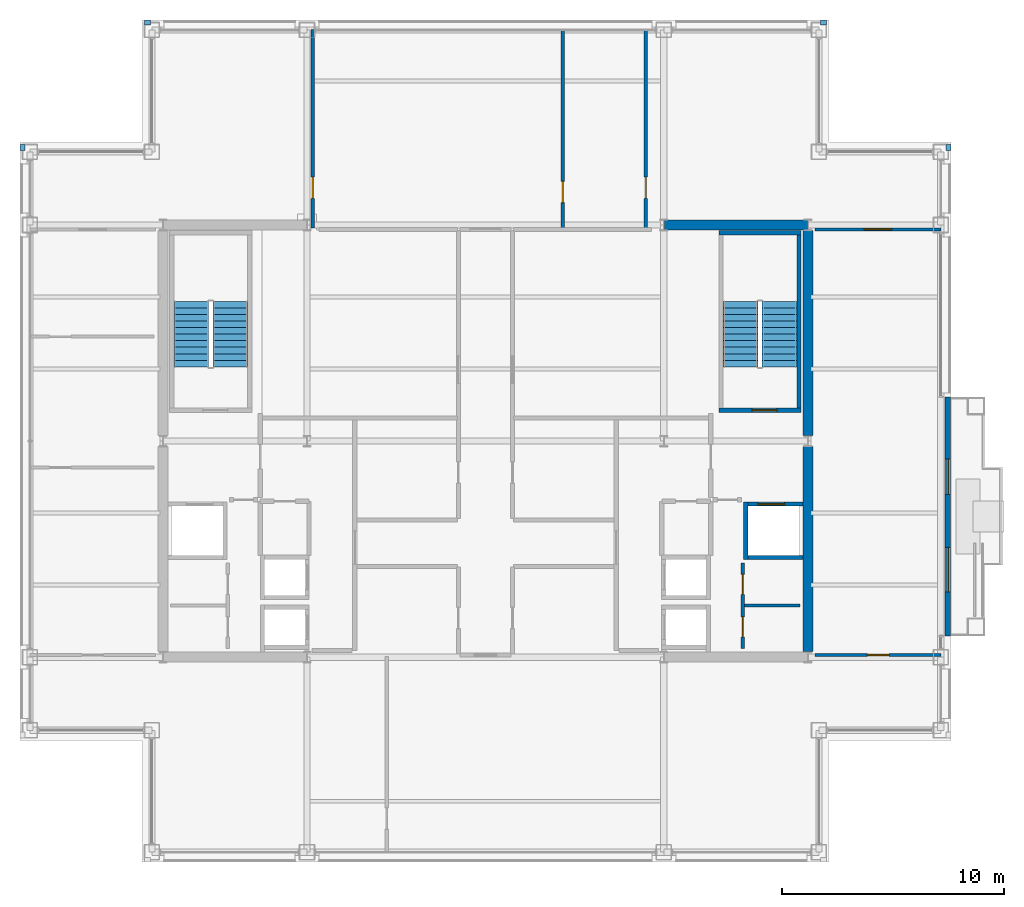
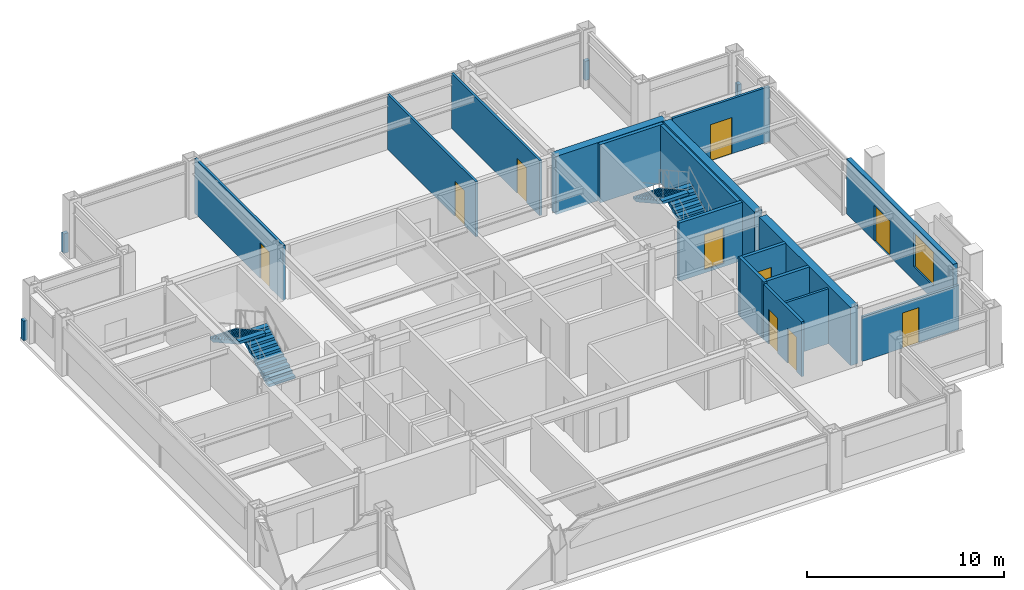
# One storey, part 26 of 28: 21 walls, 10 doors, 4 stair flights, 1 window, 11 openings, 2 elements without a shape of their own.
"""IFC4 building model written with IfcOpenShell, lengths in metres."""

from ifc_helpers import new_model, si_unit, direction, frame, frame_2d, origin, place, context, subcontext, project, spatial, polyline, rectangle, outline, extrude, material, layer, layer_set, type_object, element, fill, aggregate, save


model = new_model("IFC4")

# Units and contexts
model_context = context("Model", 3, precision=1e-05, world=origin(), true_north=direction((0.0, 1.0)))
body_context = subcontext(model_context, "Body", "Model", "MODEL_VIEW")
ifc_project = project(units=[si_unit("LENGTHUNIT", "METRE"), si_unit("AREAUNIT", "SQUARE_METRE"), si_unit("VOLUMEUNIT", "CUBIC_METRE"), si_unit("PLANEANGLEUNIT", "RADIAN"), si_unit("MASSUNIT", "GRAM", prefix="KILO")], contexts=[model_context])

# Site, building, storey
site_placement = place(None, origin())
site = spatial("IfcSite", under=ifc_project, at=site_placement, CompositionType="ELEMENT")
building_placement = place(site_placement, origin())
building = spatial("IfcBuilding", under=site, at=building_placement, Name="Brelmoor Portico Tower", CompositionType="ELEMENT")
storey_placement = place(building_placement, frame((0.0, 0.0, 191.10009765625)))
storey = spatial("IfcBuildingStorey", under=building, at=storey_placement, Name="L50", CompositionType="ELEMENT", Elevation=191.10009765625)

# Walls
ifc_material_1 = material(Name="Concrete C50", Category="concrete")
ifc_layer_1 = layer(ifc_material_1, 0.449951171875)
ifc_layer_set_1 = layer_set([ifc_layer_1], Name="Concrete C50")
wall_type_1 = type_object("IfcWallType", Name="WL-CORE-450", PredefinedType="SHEAR", material=ifc_layer_set_1)
wall_1_placement = place(storey_placement, frame((8.070068359375, 9.75, -0.2001953125), z_axis=(0.0, 0.0, 1.0), x_axis=(1.0, 0.0, 0.0)))
element("IfcWall", 1, at=wall_1_placement, inside=storey, type_object=wall_type_1, Name="L50 EC North Shear Wall", PredefinedType="SHEAR", context=body_context, shape_type="SweptSolid", body=[
    extrude(rectangle(XDim=6.4599609375, YDim=0.449951171875, at=frame_2d((3.22998046875, 0.0))), origin(), (0.0, 0.0, 1.0), 3.60009765625),
])
for number, where, z_axis, x_axis, name in (
    (2, (14.550048828125, -9.5, -0.2001953125), (0.0, 0.0, 1.0), (0.0, 1.0, 0.0), "L50 EC Outer South Shear Wall"),
    (3, (14.550048828125, 0.25, -0.2001953125), (0.0, 0.0, 1.0), (0.0, 1.0, 0.0), "L50 EC Outer North Shear Wall"),
):
    element("IfcWall", number, at=place(storey_placement, frame(where, z_axis=z_axis, x_axis=x_axis)), inside=storey, type_object=wall_type_1, Name=name, PredefinedType="SHEAR", context=body_context, shape_type="SweptSolid", body=[
        extrude(rectangle(XDim=9.25, YDim=0.449951171875, at=frame_2d((4.625, 0.0))), origin(), (0.0, 0.0, 1.0), 3.60009765625),
    ])

# Wall, openings, door, window
ifc_material_2 = material(Name="Precast Concrete C40 Insulated Facade Wall", Category="concrete")
ifc_layer_2 = layer(ifc_material_2, 0.25)
ifc_layer_set_2 = layer_set([ifc_layer_2], Name="Precast Concrete C40 Insulated Facade Wall")
wall_type_2 = type_object("IfcWallType", Name="WL-EXT-250", PredefinedType="STANDARD", material=ifc_layer_set_2)
wall_2_placement = place(storey_placement, frame((20.860107421875, -8.800048828125, 0.0), z_axis=(0.0, 0.0, 1.0), x_axis=(0.0, 1.0, 0.0)))
wall_2 = element("IfcWall", 4, at=wall_2_placement, inside=storey, type_object=wall_type_2, Name="L50 Loggia Threshold Wall E-1", PredefinedType="STANDARD", context=body_context, shape_type="SweptSolid", body=[
    extrude(rectangle(XDim=10.800048828125, YDim=0.25, at=frame_2d((5.39990234375, 0.0))), origin(), (0.0, 0.0, 1.0), 3.39990234375),
])
opening_1_placement = place(wall_2_placement, frame((6.39990234375, 0.0, 0.0)))
opening_1 = element("IfcOpeningElement", 5, at=opening_1_placement, cuts=wall_2, Name="Opening D-TB1", PredefinedType="OPENING", context=body_context, shape_type="SweptSolid", body=[
    extrude(rectangle(XDim=1.60009765625, YDim=2.199951171875, at=frame_2d((0.800048828125, 1.10009765625))), frame((0.0, 0.135009765625, 0.0), z_axis=(0.0, -1.0, 0.0), x_axis=(1.0, 0.0, 0.0)), (0.0, 0.0, 1.0), 0.27001953125),
])
opening_2_placement = place(wall_2_placement, frame((2.0, 0.0, 0.85009765625)))
opening_2 = element("IfcOpeningElement", 6, at=opening_2_placement, cuts=wall_2, Name="Opening W-03", PredefinedType="OPENING", context=body_context, shape_type="SweptSolid", body=[
    extrude(rectangle(XDim=2.0, YDim=2.10009765625, at=frame_2d((1.0, 1.050048828125))), frame((0.0, 0.135009765625, 0.0), z_axis=(0.0, -1.0, 0.0), x_axis=(1.0, 0.0, 0.0)), (0.0, 0.0, 1.0), 0.27001953125),
])
ifc_material_3 = material(Name="Double-Leaf Thermally Broken Terrace Door", Category="aluminium")
door_type_1 = type_object("IfcDoorType", Name="DR-BALCONY-1600", OperationType="NOTDEFINED", PredefinedType="DOOR", material=ifc_material_3)
door_1_placement = place(opening_1_placement, origin())
door_1 = element("IfcDoor", 7, at=door_1_placement, inside=storey, type_object=door_type_1, Name="D-2132 L50 Tree Balcony Double Door E", OperationType="DOUBLE_DOOR_SINGLE_SWING", OverallHeight=2.199951171875, OverallWidth=1.60009765625, PredefinedType="DOOR", context=body_context, shape_type="SweptSolid", body=[
    extrude(rectangle(XDim=1.60009765625, YDim=2.199951171875, at=frame_2d((0.800048828125, 1.10009765625))), frame((0.0, 0.02490234375, 0.0), z_axis=(0.0, -1.0, 0.0), x_axis=(1.0, 0.0, 0.0)), (0.0, 0.0, 1.0), 0.050048828125),
])
fill(opening_1, door_1)
ifc_material_4 = material(Name="Thermally Broken Aluminium Low-E Window", Category="aluminium")
window_type = type_object("IfcWindowType", Name="WN-LOGGIA-2000x2100", PartitioningType="SINGLE_PANEL", PredefinedType="WINDOW", material=ifc_material_4)
window_placement = place(opening_2_placement, origin())
window = element("IfcWindow", 8, at=window_placement, inside=storey, type_object=window_type, Name="L50 Loggia Window E", OverallHeight=2.10009765625, OverallWidth=2.0, PartitioningType="SINGLE_PANEL", PredefinedType="WINDOW", context=body_context, shape_type="SweptSolid", body=[
    extrude(rectangle(XDim=2.0, YDim=2.10009765625, at=frame_2d((1.0, 1.050048828125))), frame((0.0, 0.030029296875, 0.0), z_axis=(0.0, -1.0, 0.0), x_axis=(1.0, 0.0, 0.0)), (0.0, 0.0, 1.0), 0.06005859375),
])
fill(opening_2, window)

# Walls
ifc_material_5 = material(Name="Concrete C40 Parapet Upstand", Category="concrete")
ifc_layer_3 = layer(ifc_material_5, 0.219970703125)
ifc_layer_set_3 = layer_set([ifc_layer_3], Name="Concrete C40 Parapet Upstand")
wall_type_3 = type_object("IfcWallType", Name="WL-PARAPET-220", PredefinedType="PARAPET", material=ifc_layer_set_3)
for number, where, z_axis, x_axis, name in (
    (9, (-15.389892578125, 18.889892578125, 0.0), (0.0, 0.0, 1.0), (1.0, 0.0, 0.0), "L50 Chamfer Vertex Parapet Pier NW1"),
    (10, (-20.889892578125, 13.1201171875, 0.0), (0.0, 0.0, 1.0), (0.0, 1.0, 0.0), "L50 Chamfer Vertex Parapet Pier NW2"),
    (11, (15.1201171875, 18.889892578125, 0.0), (0.0, 0.0, 1.0), (1.0, 0.0, 0.0), "L50 Chamfer Vertex Parapet Pier NE1"),
    (12, (20.889892578125, 13.1201171875, 0.0), (0.0, 0.0, 1.0), (0.0, 1.0, 0.0), "L50 Chamfer Vertex Parapet Pier NE2"),
):
    element("IfcWall", number, at=place(storey_placement, frame(where, z_axis=z_axis, x_axis=x_axis)), inside=storey, type_object=wall_type_3, Name=name, PredefinedType="PARAPET", context=body_context, shape_type="SweptSolid", body=[
        extrude(rectangle(XDim=0.269775390625, YDim=0.219970703125, at=frame_2d((0.134765625, 0.0))), origin(), (0.0, 0.0, 1.0), 1.199951171875),
    ])
ifc_material_6 = material(Name="Insulated Stud Suite Partition", Category="gypsum")
ifc_layer_4 = layer(ifc_material_6, 0.139892578125)
ifc_layer_set_4 = layer_set([ifc_layer_4], Name="Insulated Stud Suite Partition")
wall_type_4 = type_object("IfcWallType", Name="WL-PART-140", PredefinedType="PARTITIONING", material=ifc_layer_set_4)
wall_3_placement = place(storey_placement, frame((11.699951171875, -7.425048828125, 0.0), z_axis=(0.0, 0.0, 1.0), x_axis=(1.0, 0.0, 0.0)))
element("IfcWall", 13, at=wall_3_placement, inside=storey, type_object=wall_type_4, Name="L50 E Core WC Divider 1", PredefinedType="PARTITIONING", context=body_context, shape_type="SweptSolid", body=[
    extrude(rectangle(XDim=2.5, YDim=0.139892578125, at=frame_2d((1.25, 0.0))), origin(), (0.0, 0.0, 1.0), 3.39990234375),
])

# Wall, opening, door
wall_4_placement = place(storey_placement, frame((-7.78955078125, 9.610107421875, 0.0), z_axis=(0.0, 0.0, 1.0), x_axis=(0.0, 1.0, 0.0)))
wall_4 = element("IfcWall", 14, at=wall_4_placement, inside=storey, type_object=wall_type_4, Name="L50 North Suite Partition 1", PredefinedType="PARTITIONING", context=body_context, shape_type="SweptSolid", body=[
    extrude(rectangle(XDim=8.949951171875, YDim=0.139892578125, at=frame_2d((4.47509765625, 0.0))), origin(), (0.0, 0.0, 1.0), 3.39990234375),
])
opening_3_placement = place(wall_4_placement, frame((1.340087890625, 0.0, 0.0)))
opening_3 = element("IfcOpeningElement", 15, at=opening_3_placement, cuts=wall_4, Name="Opening D-IN2", PredefinedType="OPENING", context=body_context, shape_type="SweptSolid", body=[
    extrude(rectangle(XDim=0.9599609375, YDim=2.179931640625, at=frame_2d((0.47998046875, 1.08984375))), frame((0.0, 0.079833984375, 0.0), z_axis=(0.0, -1.0, 0.0), x_axis=(1.0, 0.0, 0.0)), (0.0, 0.0, 1.0), 0.159912109375),
])
ifc_material_7 = material(Name="Lacquered Timber Suite Door", Category="wood")
door_type_2 = type_object("IfcDoorType", Name="DR-INT-950", OperationType="NOTDEFINED", PredefinedType="DOOR", material=ifc_material_7)
door_2_placement = place(opening_3_placement, origin())
door_2 = element("IfcDoor", 16, at=door_2_placement, inside=storey, type_object=door_type_2, Name="D-2121 L50 North Suite Connecting Door 1", OperationType="SINGLE_SWING_RIGHT", OverallHeight=2.179931640625, OverallWidth=0.9599609375, PredefinedType="DOOR", context=body_context, shape_type="SweptSolid", body=[
    extrude(rectangle(XDim=0.9599609375, YDim=2.179931640625, at=frame_2d((0.47998046875, 1.08984375))), frame((0.0, 0.02490234375, 0.0), z_axis=(0.0, -1.0, 0.0), x_axis=(1.0, 0.0, 0.0)), (0.0, 0.0, 1.0), 0.050048828125),
])
fill(opening_3, door_2)

wall_5_placement = place(storey_placement, frame((3.490966796875, 9.610107421875, 0.0), z_axis=(0.0, 0.0, 1.0), x_axis=(0.0, 1.0, 0.0)))
wall_5 = element("IfcWall", 17, at=wall_5_placement, inside=storey, type_object=wall_type_4, Name="L50 North Suite Partition 2", PredefinedType="PARTITIONING", context=body_context, shape_type="SweptSolid", body=[
    extrude(rectangle(XDim=8.949951171875, YDim=0.139892578125, at=frame_2d((4.47509765625, 0.0))), origin(), (0.0, 0.0, 1.0), 3.39990234375),
])
opening_4_placement = place(wall_5_placement, frame((1.14990234375, 0.0, 0.0)))
opening_4 = element("IfcOpeningElement", 18, at=opening_4_placement, cuts=wall_5, Name="Opening D-IN2", PredefinedType="OPENING", context=body_context, shape_type="SweptSolid", body=[
    extrude(rectangle(XDim=0.9599609375, YDim=2.179931640625, at=frame_2d((0.47998046875, 1.08984375))), frame((0.0, 0.079833984375, 0.0), z_axis=(0.0, -1.0, 0.0), x_axis=(1.0, 0.0, 0.0)), (0.0, 0.0, 1.0), 0.159912109375),
])
door_3_placement = place(opening_4_placement, origin())
door_3 = element("IfcDoor", 19, at=door_3_placement, inside=storey, type_object=door_type_2, Name="D-2122 L50 North Suite Connecting Door 2", OperationType="SINGLE_SWING_LEFT", OverallHeight=2.179931640625, OverallWidth=0.9599609375, PredefinedType="DOOR", context=body_context, shape_type="SweptSolid", body=[
    extrude(rectangle(XDim=0.9599609375, YDim=2.179931640625, at=frame_2d((0.47998046875, 1.08984375))), frame((0.0, 0.02490234375, 0.0), z_axis=(0.0, -1.0, 0.0), x_axis=(1.0, 0.0, 0.0)), (0.0, 0.0, 1.0), 0.050048828125),
])
fill(opening_4, door_3)

wall_6_placement = place(storey_placement, frame((7.233154296875, 9.610107421875, 0.0), z_axis=(0.0, 0.0, 1.0), x_axis=(0.0, 1.0, 0.0)))
wall_6 = element("IfcWall", 20, at=wall_6_placement, inside=storey, type_object=wall_type_4, Name="L50 North Suite Partition 3", PredefinedType="PARTITIONING", context=body_context, shape_type="SweptSolid", body=[
    extrude(rectangle(XDim=8.949951171875, YDim=0.139892578125, at=frame_2d((4.47509765625, 0.0))), origin(), (0.0, 0.0, 1.0), 3.39990234375),
])
opening_5_placement = place(wall_6_placement, frame((1.340087890625, 0.0, 0.0)))
opening_5 = element("IfcOpeningElement", 21, at=opening_5_placement, cuts=wall_6, Name="Opening D-IN2", PredefinedType="OPENING", context=body_context, shape_type="SweptSolid", body=[
    extrude(rectangle(XDim=0.9599609375, YDim=2.179931640625, at=frame_2d((0.47998046875, 1.08984375))), frame((0.0, 0.079833984375, 0.0), z_axis=(0.0, -1.0, 0.0), x_axis=(1.0, 0.0, 0.0)), (0.0, 0.0, 1.0), 0.159912109375),
])
door_4_placement = place(opening_5_placement, origin())
door_4 = element("IfcDoor", 22, at=door_4_placement, inside=storey, type_object=door_type_2, Name="D-2123 L50 North Suite Connecting Door 3", OperationType="SINGLE_SWING_RIGHT", OverallHeight=2.179931640625, OverallWidth=0.9599609375, PredefinedType="DOOR", context=body_context, shape_type="SweptSolid", body=[
    extrude(rectangle(XDim=0.9599609375, YDim=2.179931640625, at=frame_2d((0.47998046875, 1.08984375))), frame((0.0, 0.02490234375, 0.0), z_axis=(0.0, -1.0, 0.0), x_axis=(1.0, 0.0, 0.0)), (0.0, 0.0, 1.0), 0.050048828125),
])
fill(opening_5, door_4)

wall_7_placement = place(storey_placement, frame((14.8798828125, 9.550048828125, 0.0), z_axis=(0.0, 0.0, 1.0), x_axis=(1.0, 0.0, 0.0)))
wall_7 = element("IfcWall", 23, at=wall_7_placement, inside=storey, type_object=wall_type_4, Name="L50 North Wing Suite Wall ER", PredefinedType="PARTITIONING", context=body_context, shape_type="SweptSolid", body=[
    extrude(rectangle(XDim=5.68017578125, YDim=0.139892578125, at=frame_2d((2.840087890625, 0.0))), origin(), (0.0, 0.0, 1.0), 3.39990234375),
])
opening_6_placement = place(wall_7_placement, frame((2.219970703125, 0.0, 0.0)))
opening_6 = element("IfcOpeningElement", 24, at=opening_6_placement, cuts=wall_7, Name="Opening D-SU1", PredefinedType="OPENING", context=body_context, shape_type="SweptSolid", body=[
    extrude(rectangle(XDim=1.239990234375, YDim=2.239990234375, at=frame_2d((0.6201171875, 1.1201171875))), frame((0.0, 0.079833984375, 0.0), z_axis=(0.0, -1.0, 0.0), x_axis=(1.0, 0.0, 0.0)), (0.0, 0.0, 1.0), 0.159912109375),
])
ifc_material_8 = material(Name="Glazed Timber Executive Suite Door", Category="wood")
door_type_3 = type_object("IfcDoorType", Name="DR-SUITE-1200", OperationType="NOTDEFINED", PredefinedType="DOOR", material=ifc_material_8)
door_5_placement = place(opening_6_placement, origin())
door_5 = element("IfcDoor", 25, at=door_5_placement, inside=storey, type_object=door_type_3, Name="D-2124 L50 ER Wing Suite Connecting Door", OperationType="SINGLE_SWING_RIGHT", OverallHeight=2.239990234375, OverallWidth=1.239990234375, PredefinedType="DOOR", context=body_context, shape_type="SweptSolid", body=[
    extrude(rectangle(XDim=1.239990234375, YDim=2.239990234375, at=frame_2d((0.6201171875, 1.1201171875))), frame((0.0, 0.02490234375, 0.0), z_axis=(0.0, -1.0, 0.0), x_axis=(1.0, 0.0, 0.0)), (0.0, 0.0, 1.0), 0.050048828125),
])
fill(opening_6, door_5)

wall_8_placement = place(storey_placement, frame((14.8798828125, -9.64990234375, 0.0), z_axis=(0.0, 0.0, 1.0), x_axis=(1.0, 0.0, 0.0)))
wall_8 = element("IfcWall", 26, at=wall_8_placement, inside=storey, type_object=wall_type_4, Name="L50 South Wing Closure ER", PredefinedType="PARTITIONING", context=body_context, shape_type="SweptSolid", body=[
    extrude(rectangle(XDim=5.68017578125, YDim=0.139892578125, at=frame_2d((2.840087890625, 0.0))), origin(), (0.0, 0.0, 1.0), 2.75),
])
opening_7_placement = place(wall_8_placement, frame((2.360107421875, 0.0, 0.0)))
opening_7 = element("IfcOpeningElement", 27, at=opening_7_placement, cuts=wall_8, Name="Opening D-IN2", PredefinedType="OPENING", context=body_context, shape_type="SweptSolid", body=[
    extrude(rectangle(XDim=0.9599609375, YDim=2.179931640625, at=frame_2d((0.47998046875, 1.08984375))), frame((0.0, 0.079833984375, 0.0), z_axis=(0.0, -1.0, 0.0), x_axis=(1.0, 0.0, 0.0)), (0.0, 0.0, 1.0), 0.159912109375),
])
door_6_placement = place(opening_7_placement, origin())
door_6 = element("IfcDoor", 28, at=door_6_placement, inside=storey, type_object=door_type_2, Name="D-2130 L50 ER Wing South Suite Door", OperationType="SINGLE_SWING_RIGHT", OverallHeight=2.179931640625, OverallWidth=0.9599609375, PredefinedType="DOOR", context=body_context, shape_type="SweptSolid", body=[
    extrude(rectangle(XDim=0.9599609375, YDim=2.179931640625, at=frame_2d((0.47998046875, 1.08984375))), frame((0.0, 0.02490234375, 0.0), z_axis=(0.0, -1.0, 0.0), x_axis=(1.0, 0.0, 0.0)), (0.0, 0.0, 1.0), 0.050048828125),
])
fill(opening_7, door_6)

# Wall, openings, doors
ifc_material_9 = material(Name="Twin-Frame Acoustic Partition", Category="gypsum")
ifc_layer_5 = layer(ifc_material_9, 0.159912109375)
ifc_layer_set_5 = layer_set([ifc_layer_5], Name="Twin-Frame Acoustic Partition")
wall_type_5 = type_object("IfcWallType", Name="WL-PART-160", PredefinedType="PARTITIONING", material=ifc_layer_set_5)
wall_9_placement = place(storey_placement, frame((11.6201171875, -9.35009765625, 0.0), z_axis=(0.0, 0.0, 1.0), x_axis=(0.0, 1.0, 0.0)))
wall_9 = element("IfcWall", 29, at=wall_9_placement, inside=storey, type_object=wall_type_5, Name="L50 E Core Service Front Wall", PredefinedType="PARTITIONING", context=body_context, shape_type="SweptSolid", body=[
    extrude(rectangle(XDim=3.85009765625, YDim=0.159912109375, at=frame_2d((1.925048828125, 0.0))), origin(), (0.0, 0.0, 1.0), 3.39990234375),
])
opening_8_placement = place(wall_9_placement, frame((0.512451171875, 0.0, 0.0)))
opening_8 = element("IfcOpeningElement", 30, at=opening_8_placement, cuts=wall_9, Name="Opening D-IN1", PredefinedType="OPENING", context=body_context, shape_type="SweptSolid", body=[
    extrude(rectangle(XDim=0.89990234375, YDim=2.14990234375, at=frame_2d((0.449951171875, 1.074951171875))), frame((0.0, 0.08984375, 0.0), z_axis=(0.0, -1.0, 0.0), x_axis=(1.0, 0.0, 0.0)), (0.0, 0.0, 1.0), 0.179931640625),
])
opening_9_placement = place(wall_9_placement, frame((2.4375, 0.0, 0.0)))
opening_9 = element("IfcOpeningElement", 31, at=opening_9_placement, cuts=wall_9, Name="Opening D-IN1", PredefinedType="OPENING", context=body_context, shape_type="SweptSolid", body=[
    extrude(rectangle(XDim=0.89990234375, YDim=2.14990234375, at=frame_2d((0.449951171875, 1.074951171875))), frame((0.0, 0.08984375, 0.0), z_axis=(0.0, -1.0, 0.0), x_axis=(1.0, 0.0, 0.0)), (0.0, 0.0, 1.0), 0.179931640625),
])
door_type_4 = type_object("IfcDoorType", Name="DR-INT-900", OperationType="NOTDEFINED", PredefinedType="DOOR", material=ifc_material_7)
door_7_placement = place(opening_8_placement, origin())
door_7 = element("IfcDoor", 32, at=door_7_placement, inside=storey, type_object=door_type_4, Name="D-2108 L50 E Male WC Door", OperationType="SINGLE_SWING_RIGHT", OverallHeight=2.14990234375, OverallWidth=0.89990234375, PredefinedType="DOOR", context=body_context, shape_type="SweptSolid", body=[
    extrude(rectangle(XDim=0.89990234375, YDim=2.14990234375, at=frame_2d((0.449951171875, 1.074951171875))), frame((0.0, 0.02490234375, 0.0), z_axis=(0.0, -1.0, 0.0), x_axis=(1.0, 0.0, 0.0)), (0.0, 0.0, 1.0), 0.050048828125),
])
fill(opening_8, door_7)
door_8_placement = place(opening_9_placement, origin())
door_8 = element("IfcDoor", 33, at=door_8_placement, inside=storey, type_object=door_type_4, Name="D-2109 L50 E Female WC Door", OperationType="SINGLE_SWING_LEFT", OverallHeight=2.14990234375, OverallWidth=0.89990234375, PredefinedType="DOOR", context=body_context, shape_type="SweptSolid", body=[
    extrude(rectangle(XDim=0.89990234375, YDim=2.14990234375, at=frame_2d((0.449951171875, 1.074951171875))), frame((0.0, 0.02490234375, 0.0), z_axis=(0.0, -1.0, 0.0), x_axis=(1.0, 0.0, 0.0)), (0.0, 0.0, 1.0), 0.050048828125),
])
fill(opening_9, door_8)

# Wall, opening, door
ifc_material_10 = material(Name="Precast Concrete C40", Category="concrete")
ifc_layer_6 = layer(ifc_material_10, 0.18994140625)
ifc_layer_set_6 = layer_set([ifc_layer_6], Name="Precast Concrete C40")
wall_type_6 = type_object("IfcWallType", Name="WL-SHAFT-180", PredefinedType="SOLIDWALL", material=ifc_layer_set_6)
wall_10_placement = place(storey_placement, frame((11.64990234375, -2.844970703125, -0.2001953125), z_axis=(0.0, 0.0, 1.0), x_axis=(1.0, 0.0, 0.0)))
wall_10 = element("IfcWall", 34, at=wall_10_placement, inside=storey, type_object=wall_type_6, Name="L50 Lift FF2 Hoistway Front Wall", PredefinedType="SOLIDWALL", context=body_context, shape_type="SweptSolid", body=[
    extrude(rectangle(XDim=2.68017578125, YDim=0.18994140625, at=frame_2d((1.340087890625, 0.0))), origin(), (0.0, 0.0, 1.0), 3.60009765625),
])
opening_10_placement = place(wall_10_placement, frame((0.64990234375, 0.0, 0.199951171875)))
opening_10 = element("IfcOpeningElement", 35, at=opening_10_placement, cuts=wall_10, Name="Opening LD-02", PredefinedType="OPENING", context=body_context, shape_type="SweptSolid", body=[
    extrude(rectangle(XDim=1.199951171875, YDim=2.199951171875, at=frame_2d((0.60009765625, 1.10009765625))), frame((0.0, 0.10498046875, 0.0), z_axis=(0.0, -1.0, 0.0), x_axis=(1.0, 0.0, 0.0)), (0.0, 0.0, 1.0), 0.2099609375),
])
ifc_material_11 = material(Name="Brushed Stainless Steel Firefighting Lift Door", Category="steel")
door_type_5 = type_object("IfcDoorType", Name="DR-LIFT-1200", OperationType="NOTDEFINED", PredefinedType="DOOR", material=ifc_material_11)
door_9_placement = place(opening_10_placement, origin())
door_9 = element("IfcDoor", 36, at=door_9_placement, inside=storey, type_object=door_type_5, Name="D-2136 L50 Lift FF2 Sliding Landing Door", OperationType="SLIDING_TO_LEFT", OverallHeight=2.199951171875, OverallWidth=1.199951171875, PredefinedType="DOOR", context=body_context, shape_type="SweptSolid", body=[
    extrude(rectangle(XDim=1.199951171875, YDim=2.199951171875, at=frame_2d((0.60009765625, 1.10009765625))), frame((0.0, 0.02490234375, 0.0), z_axis=(0.0, -1.0, 0.0), x_axis=(1.0, 0.0, 0.0)), (0.0, 0.0, 1.0), 0.050048828125),
])
fill(opening_10, door_9)

# Walls
wall_11_placement = place(storey_placement, frame((11.64990234375, -5.2548828125, -0.2001953125), z_axis=(0.0, 0.0, 1.0), x_axis=(1.0, 0.0, 0.0)))
element("IfcWall", 37, at=wall_11_placement, inside=storey, type_object=wall_type_6, Name="L50 Firefighting Lift FF2 South Wall", PredefinedType="SOLIDWALL", context=body_context, shape_type="SweptSolid", body=[
    extrude(rectangle(XDim=2.68017578125, YDim=0.18994140625, at=frame_2d((1.340087890625, 0.0))), origin(), (0.0, 0.0, 1.0), 3.60009765625),
])
wall_12_placement = place(storey_placement, frame((11.7451171875, -5.35009765625, -0.2001953125), z_axis=(0.0, 0.0, 1.0), x_axis=(0.0, 1.0, 0.0)))
element("IfcWall", 38, at=wall_12_placement, inside=storey, type_object=wall_type_6, Name="L50 Firefighting Lift FF2 Inner Wall", PredefinedType="SOLIDWALL", context=body_context, shape_type="SweptSolid", body=[
    extrude(rectangle(XDim=2.60009765625, YDim=0.18994140625, at=frame_2d((1.300048828125, 0.0))), origin(), (0.0, 0.0, 1.0), 3.60009765625),
])
ifc_material_12 = material(Name="Concrete C40", Category="concrete")
ifc_layer_7 = layer(ifc_material_12, 0.199951171875)
ifc_layer_set_7 = layer_set([ifc_layer_7], Name="Concrete C40")
wall_type_7 = type_object("IfcWallType", Name="WL-SHAFT-RC200", PredefinedType="SOLIDWALL", material=ifc_layer_set_7)
wall_13_placement = place(storey_placement, frame((14.14990234375, 1.5, -0.2001953125), z_axis=(0.0, 0.0, 1.0), x_axis=(0.0, 1.0, 0.0)))
element("IfcWall", 39, at=wall_13_placement, inside=storey, type_object=wall_type_7, Name="L50 ST-E Structural Stair Wall Outer", PredefinedType="SOLIDWALL", context=body_context, shape_type="SweptSolid", body=[
    extrude(rectangle(XDim=7.800048828125, YDim=0.199951171875, at=frame_2d((3.89990234375, 0.0))), origin(), (0.0, 0.0, 1.0), 3.60009765625),
])

# Wall, opening, door
wall_14_placement = place(storey_placement, frame((10.530029296875, 1.39990234375, -0.2001953125), z_axis=(0.0, 0.0, 1.0), x_axis=(1.0, 0.0, 0.0)))
wall_14 = element("IfcWall", 40, at=wall_14_placement, inside=storey, type_object=wall_type_7, Name="L50 ST-E Structural Stair Wall S", PredefinedType="SOLIDWALL", context=body_context, shape_type="SweptSolid", body=[
    extrude(rectangle(XDim=3.719970703125, YDim=0.199951171875, at=frame_2d((1.85986328125, 0.0))), origin(), (0.0, 0.0, 1.0), 3.60009765625),
])
opening_11_placement = place(wall_14_placement, frame((1.5, 0.0, 0.199951171875)))
opening_11 = element("IfcOpeningElement", 41, at=opening_11_placement, cuts=wall_14, Name="Opening D-ST1", PredefinedType="OPENING", context=body_context, shape_type="SweptSolid", body=[
    extrude(rectangle(XDim=1.1201171875, YDim=2.179931640625, at=frame_2d((0.56005859375, 1.08984375))), frame((0.0, 0.10986328125, 0.0), z_axis=(0.0, -1.0, 0.0), x_axis=(1.0, 0.0, 0.0)), (0.0, 0.0, 1.0), 0.219970703125),
])
ifc_material_13 = material(Name="Painted Galvanised Steel Fire Door", Category="steel")
door_type_6 = type_object("IfcDoorType", Name="DR-STAIR-1100", OperationType="NOTDEFINED", PredefinedType="DOOR", material=ifc_material_13)
door_10_placement = place(opening_11_placement, origin())
door_10 = element("IfcDoor", 42, at=door_10_placement, inside=storey, type_object=door_type_6, Name="D-2128 L50 ST-E Protected Exit Stair Door", OperationType="SINGLE_SWING_RIGHT", OverallHeight=2.179931640625, OverallWidth=1.1201171875, PredefinedType="DOOR", context=body_context, shape_type="SweptSolid", body=[
    extrude(rectangle(XDim=1.1201171875, YDim=2.179931640625, at=frame_2d((0.56005859375, 1.08984375))), frame((0.0, 0.02490234375, 0.0), z_axis=(0.0, -1.0, 0.0), x_axis=(1.0, 0.0, 0.0)), (0.0, 0.0, 1.0), 0.050048828125),
])
fill(opening_11, door_10)

# Wall
wall_15_placement = place(storey_placement, frame((10.530029296875, 9.39990234375, -0.2001953125), z_axis=(0.0, 0.0, 1.0), x_axis=(1.0, 0.0, 0.0)))
element("IfcWall", 43, at=wall_15_placement, inside=storey, type_object=wall_type_7, Name="L50 ST-E Structural Stair Wall N", PredefinedType="SOLIDWALL", context=body_context, shape_type="SweptSolid", body=[
    extrude(rectangle(XDim=3.719970703125, YDim=0.199951171875, at=frame_2d((1.85986328125, 0.0))), origin(), (0.0, 0.0, 1.0), 3.60009765625),
])

# Stair, stair flights
stair_type_1 = type_object("IfcStairType", Name="ST-CORE-W", PredefinedType="HALF_TURN_STAIR", material=ifc_material_12)
stair_1_placement = place(storey_placement, origin())
stair_1 = element("IfcStair", 44, at=stair_1_placement, inside=storey, type_object=stair_type_1, Name="L50 Protected Core Exit Stair ST-W", PredefinedType="HALF_TURN_STAIR")
stair_flight_type = type_object("IfcStairFlightType", Name="SF-CORE-1850", PredefinedType="STRAIGHT", material=ifc_material_12)
stair_flight_1_placement = place(storey_placement, frame((-11.510009765625, 3.35009765625, 0.0), z_axis=(0.0, 0.0, 1.0), x_axis=(0.0, 1.0, 0.0)))
stair_flight_1 = element("IfcStairFlight", 45, at=stair_flight_1_placement, type_object=stair_flight_type, Name="ST-W flight 1", NumberOfRisers=11, NumberOfTreads=10, PredefinedType="STRAIGHT", RiserHeight=0.163636364, TreadLength=0.295, context=body_context, shape_type="SweptSolid", body=[
    extrude(outline(polyline([(0.0, 0.0), (0.0, 0.16357421875), (0.294921875, 0.16357421875), (0.294921875, 0.327392578125), (0.590087890625, 0.327392578125), (0.590087890625, 0.490966796875), (0.885009765625, 0.490966796875), (0.885009765625, 0.654541015625), (1.179931640625, 0.654541015625), (1.179931640625, 0.818115234375), (1.47509765625, 0.818115234375), (1.47509765625, 0.98193359375), (1.77001953125, 0.98193359375), (1.77001953125, 1.1455078125), (2.06494140625, 1.1455078125), (2.06494140625, 1.30908203125), (2.360107421875, 1.30908203125), (2.360107421875, 1.47265625), (2.655029296875, 1.47265625), (2.655029296875, 1.636474609375), (2.949951171875, 1.636474609375), (2.949951171875, 1.800048828125), (2.949951171875, 1.46484375), (0.30908203125, 0.0), (0.0, 0.0)])), frame((0.0, 0.780029296875, 0.0), z_axis=(0.0, -1.0, 0.0), x_axis=(1.0, 0.0, 0.0)), (0.0, 0.0, 1.0), 1.56005859375),
])
stair_flight_2_placement = place(storey_placement, frame((-13.27001953125, 6.300048828125, 1.7998046875), z_axis=(0.0, 0.0, 1.0), x_axis=(0.0, -1.0, 0.0)))
stair_flight_2 = element("IfcStairFlight", 46, at=stair_flight_2_placement, type_object=stair_flight_type, Name="ST-W flight 2", NumberOfRisers=11, NumberOfTreads=10, PredefinedType="STRAIGHT", RiserHeight=0.163636364, TreadLength=0.295, context=body_context, shape_type="SweptSolid", body=[
    extrude(outline(polyline([(0.0, 0.0), (0.0, 0.16357421875), (0.294921875, 0.16357421875), (0.294921875, 0.327392578125), (0.590087890625, 0.327392578125), (0.590087890625, 0.490966796875), (0.885009765625, 0.490966796875), (0.885009765625, 0.654541015625), (1.179931640625, 0.654541015625), (1.179931640625, 0.818115234375), (1.47509765625, 0.818115234375), (1.47509765625, 0.98193359375), (1.77001953125, 0.98193359375), (1.77001953125, 1.1455078125), (2.06494140625, 1.1455078125), (2.06494140625, 1.30908203125), (2.360107421875, 1.30908203125), (2.360107421875, 1.47265625), (2.655029296875, 1.47265625), (2.655029296875, 1.636474609375), (2.949951171875, 1.636474609375), (2.949951171875, 1.800048828125), (2.949951171875, 1.46484375), (0.30908203125, 0.0), (0.0, 0.0)])), frame((0.0, 0.780029296875, 0.0), z_axis=(0.0, -1.0, 0.0), x_axis=(1.0, 0.0, 0.0)), (0.0, 0.0, 1.0), 1.56005859375),
])
aggregate(stair_1, [stair_flight_1, stair_flight_2])

stair_type_2 = type_object("IfcStairType", Name="ST-CORE-E", PredefinedType="HALF_TURN_STAIR", material=ifc_material_12)
stair_2_placement = place(storey_placement, origin())
stair_2 = element("IfcStair", 47, at=stair_2_placement, inside=storey, type_object=stair_type_2, Name="L50 Protected Core Exit Stair ST-E", PredefinedType="HALF_TURN_STAIR")
stair_flight_3_placement = place(storey_placement, frame((13.27001953125, 3.35009765625, 0.0), z_axis=(0.0, 0.0, 1.0), x_axis=(0.0, 1.0, 0.0)))
stair_flight_3 = element("IfcStairFlight", 48, at=stair_flight_3_placement, type_object=stair_flight_type, Name="ST-E flight 1", NumberOfRisers=11, NumberOfTreads=10, PredefinedType="STRAIGHT", RiserHeight=0.163636364, TreadLength=0.295, context=body_context, shape_type="SweptSolid", body=[
    extrude(outline(polyline([(0.0, 0.0), (0.0, 0.16357421875), (0.294921875, 0.16357421875), (0.294921875, 0.327392578125), (0.590087890625, 0.327392578125), (0.590087890625, 0.490966796875), (0.885009765625, 0.490966796875), (0.885009765625, 0.654541015625), (1.179931640625, 0.654541015625), (1.179931640625, 0.818115234375), (1.47509765625, 0.818115234375), (1.47509765625, 0.98193359375), (1.77001953125, 0.98193359375), (1.77001953125, 1.1455078125), (2.06494140625, 1.1455078125), (2.06494140625, 1.30908203125), (2.360107421875, 1.30908203125), (2.360107421875, 1.47265625), (2.655029296875, 1.47265625), (2.655029296875, 1.636474609375), (2.949951171875, 1.636474609375), (2.949951171875, 1.800048828125), (2.949951171875, 1.46484375), (0.30908203125, 0.0), (0.0, 0.0)])), frame((0.0, 0.780029296875, 0.0), z_axis=(0.0, -1.0, 0.0), x_axis=(1.0, 0.0, 0.0)), (0.0, 0.0, 1.0), 1.56005859375),
])
stair_flight_4_placement = place(storey_placement, frame((11.510009765625, 6.300048828125, 1.7998046875), z_axis=(0.0, 0.0, 1.0), x_axis=(0.0, -1.0, 0.0)))
stair_flight_4 = element("IfcStairFlight", 49, at=stair_flight_4_placement, type_object=stair_flight_type, Name="ST-E flight 2", NumberOfRisers=11, NumberOfTreads=10, PredefinedType="STRAIGHT", RiserHeight=0.163636364, TreadLength=0.295, context=body_context, shape_type="SweptSolid", body=[
    extrude(outline(polyline([(0.0, 0.0), (0.0, 0.16357421875), (0.294921875, 0.16357421875), (0.294921875, 0.327392578125), (0.590087890625, 0.327392578125), (0.590087890625, 0.490966796875), (0.885009765625, 0.490966796875), (0.885009765625, 0.654541015625), (1.179931640625, 0.654541015625), (1.179931640625, 0.818115234375), (1.47509765625, 0.818115234375), (1.47509765625, 0.98193359375), (1.77001953125, 0.98193359375), (1.77001953125, 1.1455078125), (2.06494140625, 1.1455078125), (2.06494140625, 1.30908203125), (2.360107421875, 1.30908203125), (2.360107421875, 1.47265625), (2.655029296875, 1.47265625), (2.655029296875, 1.636474609375), (2.949951171875, 1.636474609375), (2.949951171875, 1.800048828125), (2.949951171875, 1.46484375), (0.30908203125, 0.0), (0.0, 0.0)])), frame((0.0, 0.780029296875, 0.0), z_axis=(0.0, -1.0, 0.0), x_axis=(1.0, 0.0, 0.0)), (0.0, 0.0, 1.0), 1.56005859375),
])
aggregate(stair_2, [stair_flight_3, stair_flight_4])

save(model, "model.ifc")
